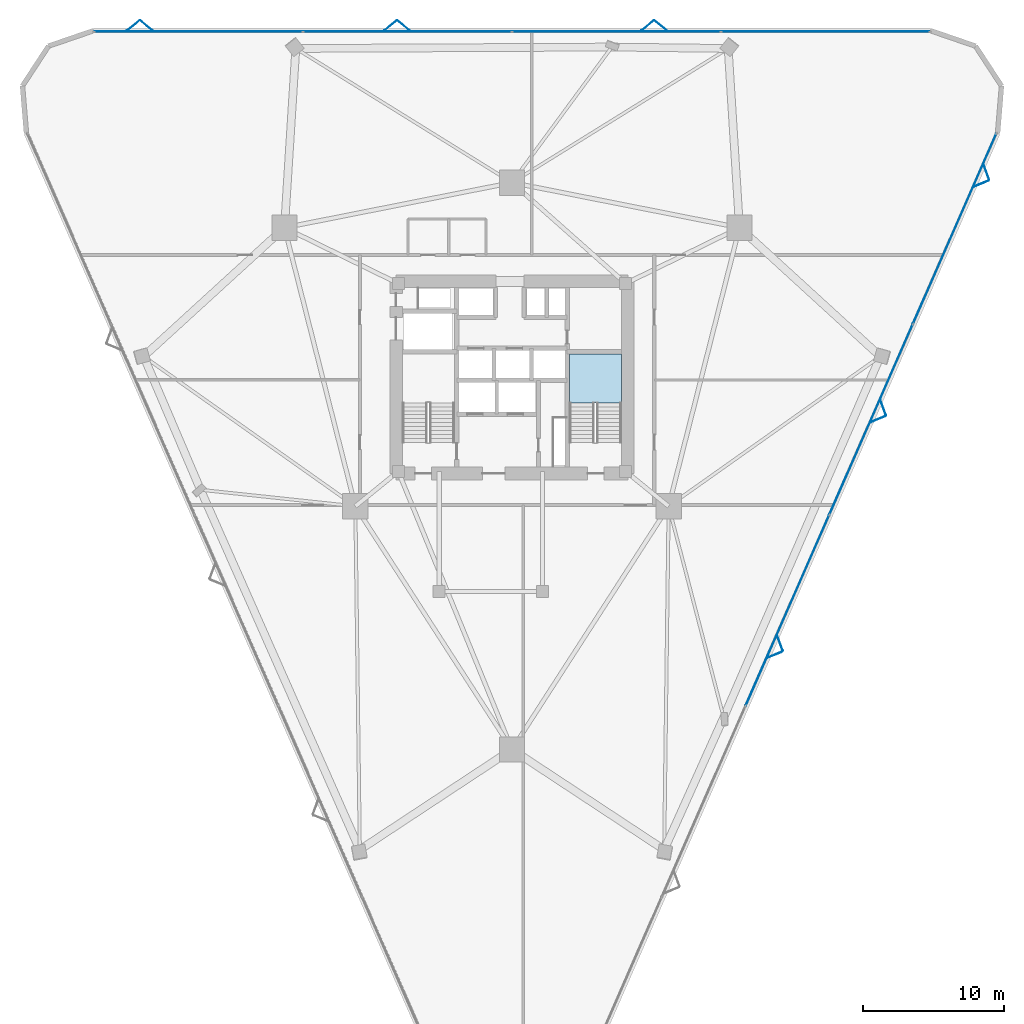
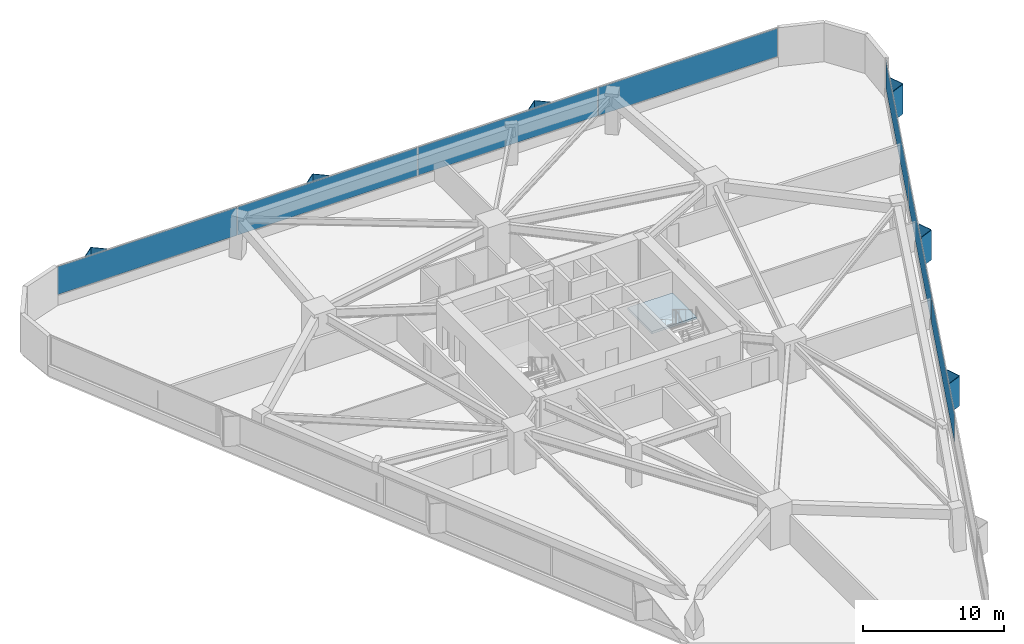
# One storey, part 16 of 20: 19 plates, 1 slab, 3 elements without a shape of their own.
"""IFC4 building model written with IfcOpenShell, lengths in metres."""

from ifc_helpers import new_model, si_unit, direction, frame, origin, origin_2d, place, context, subcontext, project, spatial, polyline, rectangle, outline, extrude, material, layer, layer_set, type_object, element, aggregate, save


model = new_model("IFC4")

# Units and contexts
model_context = context("Model", 3, precision=1e-05, world=origin(), true_north=direction((0.0, 1.0)))
body_context = subcontext(model_context, "Body", "Model", "MODEL_VIEW")
ifc_project = project(units=[si_unit("LENGTHUNIT", "METRE"), si_unit("AREAUNIT", "SQUARE_METRE"), si_unit("VOLUMEUNIT", "CUBIC_METRE"), si_unit("PLANEANGLEUNIT", "RADIAN"), si_unit("MASSUNIT", "GRAM", prefix="KILO")], contexts=[model_context])

# Site, building, storey
site_placement = place(None, origin())
site = spatial("IfcSite", under=ifc_project, at=site_placement, CompositionType="ELEMENT")
building_placement = place(site_placement, origin())
building = spatial("IfcBuilding", under=site, at=building_placement, Name="Talyreon Biosciences Tower", CompositionType="ELEMENT")
storey_placement = place(building_placement, frame((0.0, 0.0, 26.449951171875)))
storey = spatial("IfcBuildingStorey", under=building, at=storey_placement, Name="L06", CompositionType="ELEMENT", Elevation=26.449951171875)

# Curtain wall, plates
ifc_material_1 = material(Name="Thermally broken aluminium and low-E glazing", Category="aluminium")
ifc_layer_1 = layer(ifc_material_1, 0.195068359375)
ifc_layer_set_1 = layer_set([ifc_layer_1], Name="Thermally broken aluminium and low-E glazing")
curtain_wall_type = type_object("IfcCurtainWallType", Name="CurtainWall_Zone1WetLab", PredefinedType="NOTDEFINED", material=ifc_layer_set_1)
curtain_wall_1_placement = place(storey_placement, origin())
curtain_wall_1 = element("IfcCurtainWall", 1, at=curtain_wall_1_placement, inside=storey, type_object=curtain_wall_type, Name="L06 Unitised Curtain Wall FCW-L06-04", PredefinedType="NOTDEFINED")
ifc_material_2 = material(Name="Triple-silver low-E insulated glazing", Category="glass")
ifc_layer_2 = layer(ifc_material_2, 0.031982421875)
ifc_layer_set_2 = layer_set([ifc_layer_2], Name="Triple-silver low-E insulated glazing")
plate_type_1 = type_object("IfcPlateType", Name="CWGlazingPanel_32", PredefinedType="CURTAIN_PANEL", material=ifc_layer_set_2)
plate_1_placement = place(storey_placement, frame((43.8076171875, 92.474365234375, 0.875), z_axis=(0.0, 0.0, 1.0), x_axis=(1.0, 0.0, 0.0)))
plate_1 = element("IfcPlate", 2, at=plate_1_placement, type_object=plate_type_1, Name="CW2 panel 1.1", PredefinedType="CURTAIN_PANEL", context=body_context, shape_type="SweptSolid", body=[
    extrude(rectangle(XDim=14.708251953125, YDim=0.031982421875, at=origin_2d()), origin(), (0.0, 0.0, 1.0), 2.43505859375),
])
plate_2_placement = place(storey_placement, frame((58.59716796875, 92.474365234375, 0.875), z_axis=(0.0, 0.0, 1.0), x_axis=(1.0, 0.0, 0.0)))
plate_2 = element("IfcPlate", 3, at=plate_2_placement, type_object=plate_type_1, Name="CW2 panel 2.1", PredefinedType="CURTAIN_PANEL", context=body_context, shape_type="SweptSolid", body=[
    extrude(rectangle(XDim=14.74072265625, YDim=0.031982421875, at=origin_2d()), origin(), (0.0, 0.0, 1.0), 2.43505859375),
])
plate_3_placement = place(storey_placement, frame((73.40283203125, 92.474365234375, 0.875), z_axis=(0.0, 0.0, 1.0), x_axis=(1.0, 0.0, 0.0)))
plate_3 = element("IfcPlate", 4, at=plate_3_placement, type_object=plate_type_1, Name="CW2 panel 3.1", PredefinedType="CURTAIN_PANEL", context=body_context, shape_type="SweptSolid", body=[
    extrude(rectangle(XDim=14.74072265625, YDim=0.031982421875, at=origin_2d()), origin(), (0.0, 0.0, 1.0), 2.43505859375),
])
plate_4_placement = place(storey_placement, frame((88.1923828125, 92.474365234375, 0.875), z_axis=(0.0, 0.0, 1.0), x_axis=(1.0, 0.0, 0.0)))
plate_4 = element("IfcPlate", 5, at=plate_4_placement, type_object=plate_type_1, Name="CW2 panel 4.1", PredefinedType="CURTAIN_PANEL", context=body_context, shape_type="SweptSolid", body=[
    extrude(rectangle(XDim=14.708251953125, YDim=0.031982421875, at=origin_2d()), origin(), (0.0, 0.0, 1.0), 2.43505859375),
])
aggregate(curtain_wall_1, [plate_1, plate_2, plate_3, plate_4])

curtain_wall_2_placement = place(storey_placement, origin())
curtain_wall_2 = element("IfcCurtainWall", 6, at=curtain_wall_2_placement, inside=storey, type_object=curtain_wall_type, Name="L06 Unitised Curtain Wall FCW-L06-08", PredefinedType="NOTDEFINED")
plate_5_placement = place(storey_placement, frame((97.33349609375, 78.526611328125, 0.875), z_axis=(0.0, 0.0, 1.0), x_axis=(-0.401345129249, -0.915926900592, 0.0)))
plate_5 = element("IfcPlate", 7, at=plate_5_placement, type_object=plate_type_1, Name="CW2 panel 1.1", PredefinedType="CURTAIN_PANEL", context=body_context, shape_type="SweptSolid", body=[
    extrude(rectangle(XDim=14.65869140625, YDim=0.031982421875, at=origin_2d()), origin(), (0.0, 0.0, 1.0), 2.43505859375),
])
plate_6_placement = place(storey_placement, frame((91.417724609375, 65.026123046875, 0.875), z_axis=(0.0, 0.0, 1.0), x_axis=(-0.401345129249, -0.915926900592, 0.0)))
plate_6 = element("IfcPlate", 8, at=plate_6_placement, type_object=plate_type_1, Name="CW2 panel 2.1", PredefinedType="CURTAIN_PANEL", context=body_context, shape_type="SweptSolid", body=[
    extrude(rectangle(XDim=14.691162109375, YDim=0.031982421875, at=origin_2d()), origin(), (0.0, 0.0, 1.0), 2.43505859375),
])
plate_7_placement = place(storey_placement, frame((85.495361328125, 51.510498046875, 0.875), z_axis=(0.0, 0.0, 1.0), x_axis=(-0.401345129249, -0.915926900592, 0.0)))
plate_7 = element("IfcPlate", 9, at=plate_7_placement, type_object=plate_type_1, Name="CW2 panel 3.1", PredefinedType="CURTAIN_PANEL", context=body_context, shape_type="SweptSolid", body=[
    extrude(rectangle(XDim=14.691162109375, YDim=0.031982421875, at=origin_2d()), origin(), (0.0, 0.0, 1.0), 2.43505859375),
])
aggregate(curtain_wall_2, [plate_5, plate_6, plate_7])

# Plates
ifc_material_3 = material(Name="Ivory GFRC sunshade panel", Category="concrete")
ifc_layer_3 = layer(ifc_material_3, 0.044921875)
ifc_layer_set_3 = layer_set([ifc_layer_3], Name="Ivory GFRC sunshade panel")
plate_type_2 = type_object("IfcPlateType", Name="FoldedVSunshade_NorthFace_SUNSHADE", PredefinedType="USERDEFINED", material=ifc_layer_set_3)
for number, where, z_axis, x_axis, name in (
    (10, (39.20849609375, 92.914306640625, 0.7900390625), (0.0, 0.0, 1.0), (0.771624583388, 0.636078220278, 0.0), "L06 Folded V-Sunshade Panel 04.01L"),
    (11, (40.1083984375, 92.914306640625, 0.7900390625), (0.0, 0.0, 1.0), (0.771624583388, -0.636078220278, 0.0), "L06 Folded V-Sunshade Panel 04.01R"),
    (12, (57.408447265625, 92.914306640625, 0.7900390625), (0.0, 0.0, 1.0), (0.771624583388, 0.636078220278, 0.0), "L06 Folded V-Sunshade Panel 04.02L"),
    (13, (58.30859375, 92.914306640625, 0.7900390625), (0.0, 0.0, 1.0), (0.771624583388, -0.636078220278, 0.0), "L06 Folded V-Sunshade Panel 04.02R"),
    (14, (75.6083984375, 92.914306640625, 0.7900390625), (0.0, 0.0, 1.0), (0.771624583388, 0.636078220278, 0.0), "L06 Folded V-Sunshade Panel 04.03L"),
    (15, (76.508544921875, 92.914306640625, 0.7900390625), (0.0, 0.0, 1.0), (0.771624583388, -0.636078220278, 0.0), "L06 Folded V-Sunshade Panel 04.03R"),
):
    element("IfcPlate", number, at=place(storey_placement, frame(where, z_axis=z_axis, x_axis=x_axis)), inside=storey, type_object=plate_type_2, Name=name, ObjectType="SUNSHADE", PredefinedType="USERDEFINED", context=body_context, shape_type="SweptSolid", body=[
        extrude(rectangle(XDim=1.14990234375, YDim=0.044921875, at=origin_2d()), origin(), (0.0, 0.0, 1.0), 2.5849609375),
    ])
ifc_layer_4 = layer(ifc_material_3, 0.044921875)
ifc_layer_set_4 = layer_set([ifc_layer_4], Name="Ivory GFRC sunshade panel")
plate_type_3 = type_object("IfcPlateType", Name="FoldedVSunshade_SunFace_SUNSHADE", PredefinedType="USERDEFINED", material=ifc_layer_set_4)
for number, where, z_axis, x_axis, name in (
    (16, (99.572265625, 82.539794921875, 0.7900390625), (0.0, 0.0, 1.0), (0.347557606722, -0.937658631918, 0.0), "L06 Folded V-Sunshade Panel 08.01L"),
    (17, (99.211181640625, 81.715576171875, 0.7900390625), (0.0, 0.0, 1.0), (-0.924957850064, -0.380069698351, 0.0), "L06 Folded V-Sunshade Panel 08.01R"),
    (18, (92.267822265625, 65.8701171875, 0.7900390625), (0.0, 0.0, 1.0), (0.347557606722, -0.937658631918, 0.0), "L06 Folded V-Sunshade Panel 08.02L"),
    (19, (91.906494140625, 65.045654296875, 0.7900390625), (0.0, 0.0, 1.0), (-0.924957850064, -0.380069698351, 0.0), "L06 Folded V-Sunshade Panel 08.02R"),
    (20, (84.96337890625, 49.2001953125, 0.7900390625), (0.0, 0.0, 1.0), (0.347557606722, -0.937658631918, 0.0), "L06 Folded V-Sunshade Panel 08.03L"),
    (21, (84.602294921875, 48.375732421875, 0.7900390625), (0.0, 0.0, 1.0), (-0.924957850064, -0.380069698351, 0.0), "L06 Folded V-Sunshade Panel 08.03R"),
):
    element("IfcPlate", number, at=place(storey_placement, frame(where, z_axis=z_axis, x_axis=x_axis)), inside=storey, type_object=plate_type_3, Name=name, ObjectType="SUNSHADE", PredefinedType="USERDEFINED", context=body_context, shape_type="SweptSolid", body=[
        extrude(rectangle(XDim=1.14990234375, YDim=0.044921875, at=origin_2d()), origin(), (0.0, 0.0, 1.0), 2.5849609375),
    ])

# Stair, slab
ifc_material_4 = material(Name="Concrete C40/50", Category="concrete")
stair_type = type_object("IfcStairType", Name="DoglegEscapeStair_3650", PredefinedType="HALF_TURN_STAIR", material=ifc_material_4)
stair_placement = place(storey_placement, origin())
stair = element("IfcStair", 22, at=stair_placement, inside=storey, type_object=stair_type, Name="L06 Core Escape Stair 2", PredefinedType="HALF_TURN_STAIR")
ifc_layer_5 = layer(ifc_material_4, 0.199951171875)
ifc_layer_set_5 = layer_set([ifc_layer_5], Name="Concrete C40/50")
slab_type = type_object("IfcSlabType", Name="StairLandingSlab_200", PredefinedType="LANDING", material=ifc_layer_set_5)
slab_placement = place(storey_placement, frame((0.0, 0.0, 1.625)))
slab = element("IfcSlab", 23, at=slab_placement, type_object=slab_type, Name="ST-2 landing 1", PredefinedType="LANDING", context=body_context, shape_type="SweptSolid", body=[
    extrude(outline(polyline([(73.75, 66.199951171875), (73.75, 69.64990234375), (70.070068359375, 69.64990234375), (70.070068359375, 66.199951171875), (73.75, 66.199951171875)])), origin(), (0.0, 0.0, 1.0), 0.199951171875),
])
aggregate(stair, [slab])

save(model, "model.ifc")
